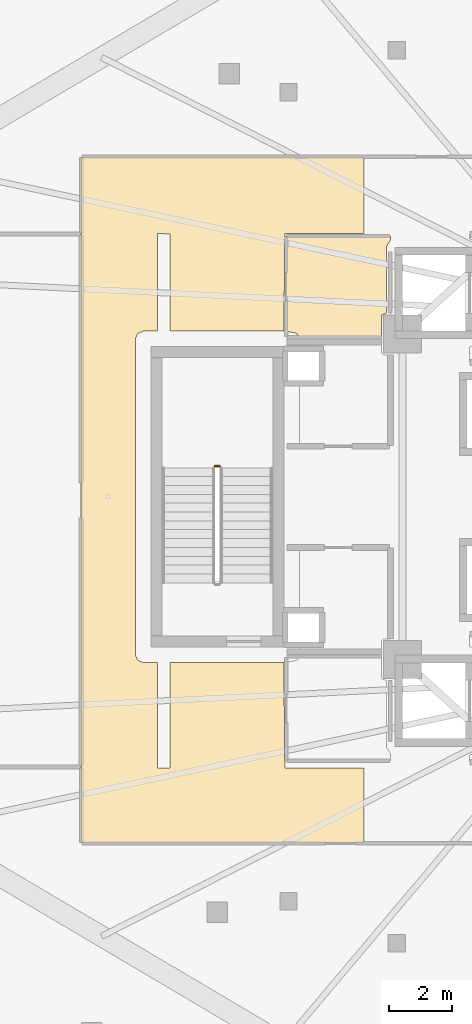
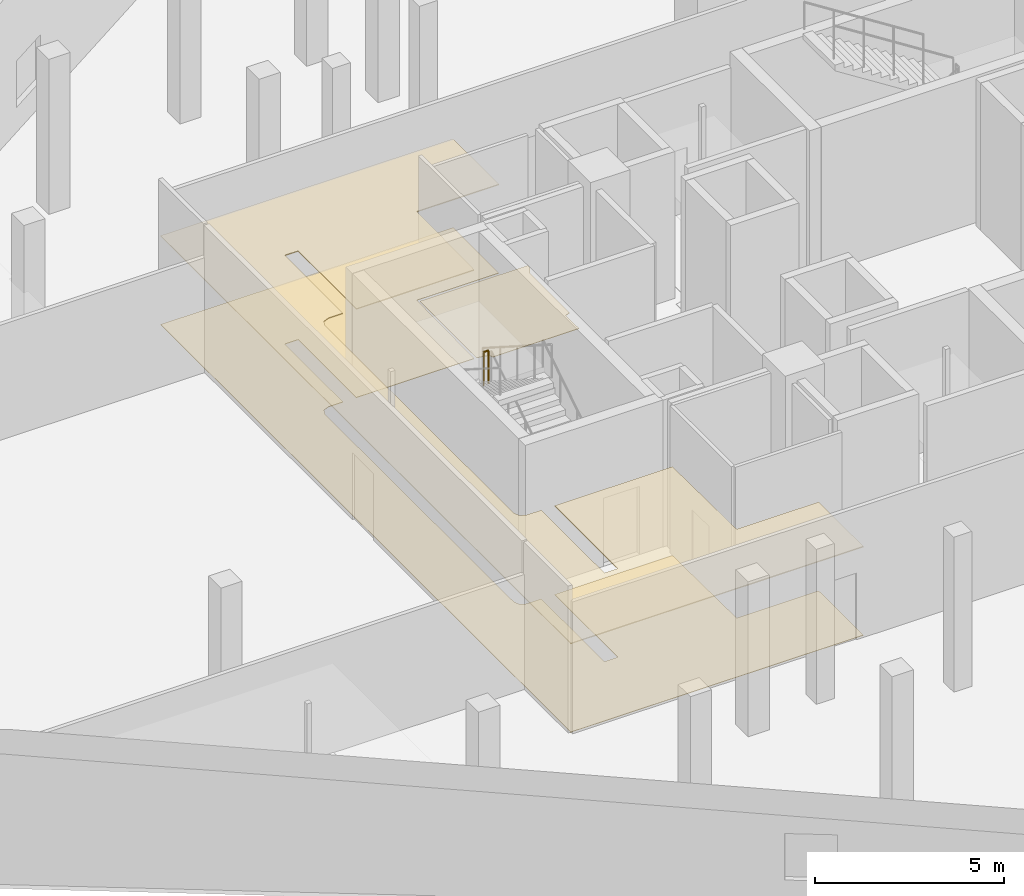
# One storey, part 42 of 47: 3 coverings, 1 railing.
"""IFC4 building model written with IfcOpenShell, lengths in metres."""

from ifc_helpers import new_model, si_unit, direction, frame, origin, origin_2d, place, context, subcontext, project, spatial, polyline, circle, outline, extrude, material, layer, layer_set, type_object, element, save


model = new_model("IFC4")

# Units and contexts
model_context = context("Model", 3, precision=1e-05, world=origin(), true_north=direction((0.0, 1.0)))
body_context = subcontext(model_context, "Body", "Model", "MODEL_VIEW")
ifc_project = project(units=[si_unit("LENGTHUNIT", "METRE"), si_unit("AREAUNIT", "SQUARE_METRE"), si_unit("VOLUMEUNIT", "CUBIC_METRE"), si_unit("PLANEANGLEUNIT", "RADIAN"), si_unit("MASSUNIT", "GRAM", prefix="KILO")], contexts=[model_context])

# Site, building, storey
site_placement = place(None, origin())
site = spatial("IfcSite", under=ifc_project, at=site_placement, CompositionType="ELEMENT")
building_placement = place(site_placement, origin())
building = spatial("IfcBuilding", under=site, at=building_placement, Name="Qorvath Tower", CompositionType="ELEMENT")
storey_placement = place(building_placement, frame((0.0, 0.0, 12.0)))
storey = spatial("IfcBuildingStorey", under=building, at=storey_placement, Name="L02", CompositionType="ELEMENT", Elevation=12.0)

# Coverings
ifc_material_1 = material(Name="Acoustic mineral fibre ceiling tile", Category="gypsum")
ifc_layer_1 = layer(ifc_material_1, 0.030029296875)
ifc_layer_set_1 = layer_set([ifc_layer_1], Name="COV-CEIL")
covering_type_1 = type_object("IfcCoveringType", Name="COV-CEIL", PredefinedType="CEILING", material=ifc_layer_set_1)
covering_1_placement = place(storey_placement, frame((0.0, 0.0, 2.85009765625)))
element("IfcCovering", 1, at=covering_1_placement, inside=storey, type_object=covering_type_1, Name="L02 Suspended Acoustic Ceiling 007", PredefinedType="CEILING", context=body_context, shape_type="SweptSolid", body=[
    extrude(outline(polyline([(-31.715087890625, -10.945068359375), (-31.715087890625, -8.58203125), (-34.219970703125, -8.5849609375), (-34.251220703125, -5.239990234375), (-37.844970703125, -5.239990234375), (-37.844970703125, -8.580078125), (-38.2548828125, -8.580078125), (-38.2548828125, -5.239990234375), (-38.699951171875, -5.239990234375), (-38.876708984375, -5.166748046875), (-38.949951171875, -4.989990234375), (-38.949951171875, 4.989990234375), (-38.876708984375, 5.166748046875), (-38.699951171875, 5.239990234375), (-38.2548828125, 5.239990234375), (-38.25341796875, 8.323486328125), (-37.844970703125, 8.320068359375), (-37.844970703125, 5.239990234375), (-34.2509765625, 5.239990234375), (-34.219970703125, 8.324951171875), (-31.715087890625, 8.324951171875), (-31.715087890625, 10.7451171875), (-40.64501953125, 10.7451171875), (-40.64501953125, -10.945068359375), (-31.715087890625, -10.945068359375)])), origin(), (0.0, 0.0, 1.0), 0.030029296875),
])
ifc_material_2 = material(Name="Polished epoxy terrazzo flooring", Category="concrete")
ifc_layer_2 = layer(ifc_material_2, 0.02001953125)
ifc_layer_set_2 = layer_set([ifc_layer_2], Name="COV-FLOOR-TRZ")
covering_type_2 = type_object("IfcCoveringType", Name="COV-FLOOR-TRZ", PredefinedType="FLOORING", material=ifc_layer_set_2)
covering_2_placement = place(storey_placement, origin())
element("IfcCovering", 2, at=covering_2_placement, inside=storey, type_object=covering_type_2, Name="L02 Floor Finish 003", PredefinedType="FLOORING", context=body_context, shape_type="SweptSolid", body=[
    extrude(outline(polyline([(-31.010009765625, 7.909912109375), (-30.885009765625, 8.108154296875), (-30.885009765625, 8.2451171875), (-34.175048828125, 8.2451171875), (-34.175048828125, 5.239990234375), (-33.833251953125, 5.166748046875), (-33.786865234375, 5.054931640625), (-31.159912109375, 5.054931640625), (-31.159912109375, 5.75), (-31.010009765625, 5.81005859375), (-31.010009765625, 7.909912109375)])), origin(), (0.0, 0.0, 1.0), 0.014892578125),
])
covering_3_placement = place(storey_placement, origin())
element("IfcCovering", 3, at=covering_3_placement, inside=storey, type_object=covering_type_2, Name="L02 Floor Finish 007", PredefinedType="FLOORING", context=body_context, shape_type="SweptSolid", body=[
    extrude(outline(polyline([(-31.715087890625, -10.945068359375), (-31.715087890625, -8.58203125), (-34.219970703125, -8.5849609375), (-34.251220703125, -5.239990234375), (-37.844970703125, -5.239990234375), (-37.844970703125, -8.580078125), (-38.2548828125, -8.580078125), (-38.2548828125, -5.239990234375), (-38.699951171875, -5.239990234375), (-38.876708984375, -5.166748046875), (-38.949951171875, -4.989990234375), (-38.949951171875, 4.989990234375), (-38.876708984375, 5.166748046875), (-38.699951171875, 5.239990234375), (-38.2548828125, 5.239990234375), (-38.25341796875, 8.323486328125), (-37.844970703125, 8.320068359375), (-37.844970703125, 5.239990234375), (-34.2509765625, 5.239990234375), (-34.219970703125, 8.324951171875), (-31.715087890625, 8.324951171875), (-31.715087890625, 10.7451171875), (-40.64501953125, 10.7451171875), (-40.64501953125, -10.945068359375), (-31.715087890625, -10.945068359375)])), origin(), (0.0, 0.0, 1.0), 0.014892578125),
])

# Railing
ifc_material_3 = material(Name="Painted galvanised steel", Category="steel")
railing_type = type_object("IfcRailingType", Name="RL-STR-GRD", PredefinedType="GUARDRAIL", material=ifc_material_3)
railing_placement = place(storey_placement, frame((-36.280029296875, 0.969970703125, 2.5)))
element("IfcRailing", 4, at=railing_placement, inside=storey, type_object=railing_type, Name="L02 TS3 stair guard 2", PredefinedType="GUARDRAIL", context=body_context, shape_type="SweptSolid", body=[
    extrude(circle(Radius=0.02392578125, at=origin_2d()), frame((0.0, 0.0, 1.076171875), z_axis=(-1.0, 0.0, 0.0), x_axis=(0.0, -1.0, 0.0)), (0.0, 0.0, 1.0), 0.14990234375),
    extrude(circle(Radius=0.02099609375, at=origin_2d()), origin(), (0.0, 0.0, 1.0), 1.052001953125),
    extrude(circle(Radius=0.02099609375, at=origin_2d()), frame((-0.14990234375, 0.0, 0.0)), (0.0, 0.0, 1.0), 1.052001953125),
])

save(model, "model.ifc")
